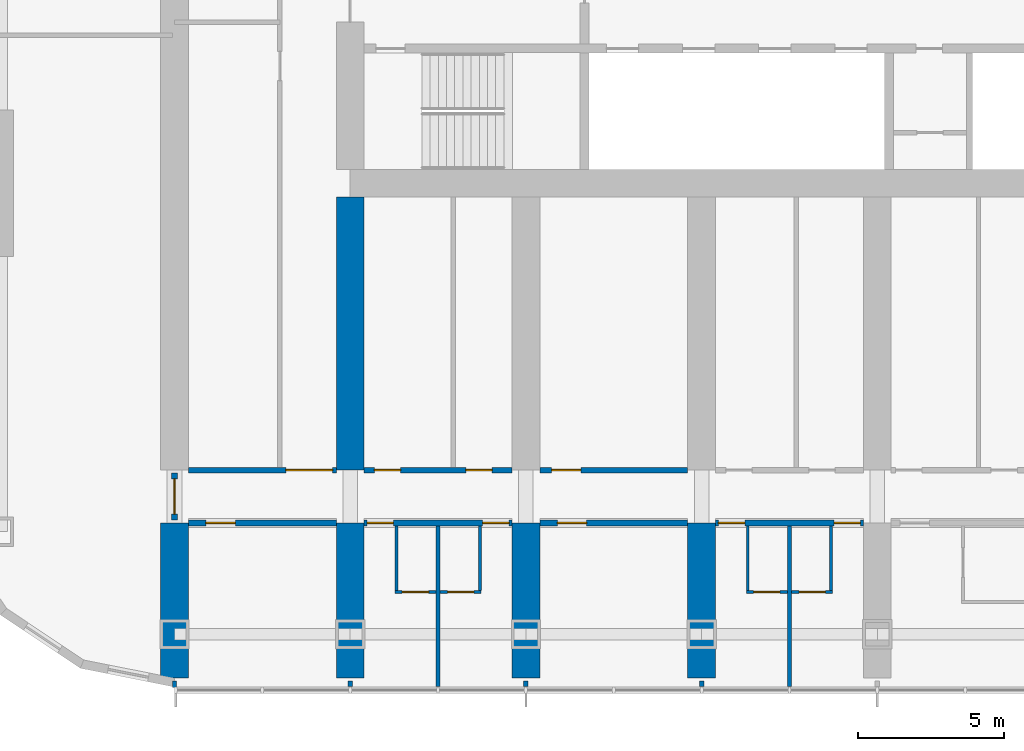
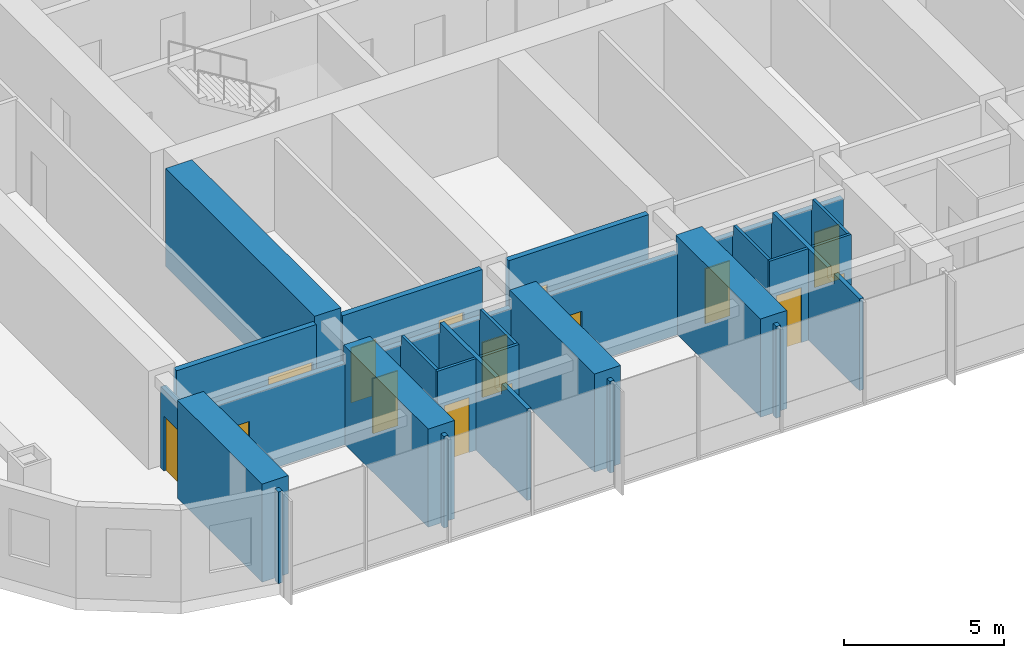
# One storey, part 10 of 25: 27 walls, 15 doors, 15 openings.
"""IFC4 building model written with IfcOpenShell, lengths in metres."""

from ifc_helpers import new_model, si_unit, direction, frame, frame_2d, origin, place, context, subcontext, project, spatial, polyline, rectangle, outline, extrude, material, layer, layer_set, type_object, element, fill, save


model = new_model("IFC4")

# Units and contexts
model_context = context("Model", 3, precision=1e-05, world=origin(), true_north=direction((0.0, 1.0)))
body_context = subcontext(model_context, "Body", "Model", "MODEL_VIEW")
ifc_project = project(units=[si_unit("LENGTHUNIT", "METRE"), si_unit("AREAUNIT", "SQUARE_METRE"), si_unit("VOLUMEUNIT", "CUBIC_METRE"), si_unit("PLANEANGLEUNIT", "RADIAN"), si_unit("MASSUNIT", "GRAM", prefix="KILO")], contexts=[model_context])

# Site, building, storey
site_placement = place(None, origin())
site = spatial("IfcSite", under=ifc_project, at=site_placement, CompositionType="ELEMENT")
building_placement = place(site_placement, origin())
building = spatial("IfcBuilding", under=site, at=building_placement, Name="Orbita Commons", CompositionType="ELEMENT")
storey_placement = place(building_placement, frame((0.0, 0.0, 99.39990234375)))
storey = spatial("IfcBuildingStorey", under=building, at=storey_placement, Name="L24", CompositionType="ELEMENT", Elevation=99.39990234375)

# Wall, opening, door
ifc_material_1 = material(Name="Concrete blockwork", Category="masonry")
ifc_layer_1 = layer(ifc_material_1, 0.199951171875)
ifc_layer_set_1 = layer_set([ifc_layer_1], Name="Concrete blockwork")
wall_type_1 = type_object("IfcWallType", Name="Corridor wall 200 blockwork", PredefinedType="SOLIDWALL", material=ifc_layer_set_1)
wall_1_placement = place(storey_placement, frame((12.47509765625, 14.199951171875, 0.0), z_axis=(0.0, 0.0, 1.0), x_axis=(1.0, 0.0, 0.0)))
wall_1 = element("IfcWall", 1, at=wall_1_placement, inside=storey, type_object=wall_type_1, Name="Corridor wall 200 blockwork L24", PredefinedType="SOLIDWALL", context=body_context, shape_type="SweptSolid", body=[
    extrude(outline(polyline([(0.0, 0.0), (5.0498046875, 0.0), (5.050048828125, 3.10009765625), (0.0, 3.10009765625), (0.0, 0.0)])), frame((0.0, 0.10009765625, 0.0), z_axis=(0.0, -1.0, 0.0), x_axis=(1.0, 0.0, 0.0)), (0.0, 0.0, 1.0), 0.199951171875),
])
opening_1_placement = place(wall_1_placement, frame((0.60009765625, 0.0, 0.0)))
opening_1 = element("IfcOpeningElement", 2, at=opening_1_placement, cuts=wall_1, Name="Opening D06", PredefinedType="OPENING", context=body_context, shape_type="SweptSolid", body=[
    extrude(rectangle(XDim=1.0, YDim=2.10009765625, at=frame_2d((0.5, 1.050048828125))), frame((0.0, 0.10986328125, 0.0), z_axis=(0.0, -1.0, 0.0), x_axis=(1.0, 0.0, 0.0)), (0.0, 0.0, 1.0), 0.219970703125),
])
ifc_material_2 = material(Name="Steel-faced fire door leaf", Category="steel")
door_type_1 = type_object("IfcDoorType", Name="Corridor door 20 min 1000x2100", OperationType="SINGLE_SWING_LEFT", PredefinedType="DOOR", material=ifc_material_2)
door_1_placement = place(opening_1_placement, origin())
door_1 = element("IfcDoor", 3, at=door_1_placement, inside=storey, type_object=door_type_1, Name="Mountain-view lounge L24-S00 door", OperationType="SINGLE_SWING_LEFT", OverallHeight=2.10009765625, OverallWidth=1.0, PredefinedType="DOOR", context=body_context, shape_type="SweptSolid", body=[
    extrude(rectangle(XDim=1.0, YDim=2.10009765625, at=frame_2d((0.5, 1.050048828125))), frame((0.0, 0.02490234375, 0.0), z_axis=(0.0, -1.0, 0.0), x_axis=(1.0, 0.0, 0.0)), (0.0, 0.0, 1.0), 0.050048828125),
])
fill(opening_1, door_1)

# Wall, openings, doors
wall_2_placement = place(storey_placement, frame((18.47509765625, 14.199951171875, 0.0), z_axis=(0.0, 0.0, 1.0), x_axis=(1.0, 0.0, 0.0)))
wall_2 = element("IfcWall", 4, at=wall_2_placement, inside=storey, type_object=wall_type_1, Name="Corridor wall 200 blockwork L24", PredefinedType="SOLIDWALL", context=body_context, shape_type="SweptSolid", body=[
    extrude(outline(polyline([(0.0, 0.0), (5.0498046875, 0.0), (5.050048828125, 3.10009765625), (0.0, 3.10009765625), (0.0, 0.0)])), frame((0.0, 0.10009765625, 0.0), z_axis=(0.0, -1.0, 0.0), x_axis=(1.0, 0.0, 0.0)), (0.0, 0.0, 1.0), 0.199951171875),
])
opening_2_placement = place(wall_2_placement, frame((0.10009765625, 0.0, 0.0)))
opening_2 = element("IfcOpeningElement", 5, at=opening_2_placement, cuts=wall_2, Name="Opening D11", PredefinedType="OPENING", context=body_context, shape_type="SweptSolid", body=[
    extrude(rectangle(XDim=0.89990234375, YDim=2.10009765625, at=frame_2d((0.449951171875, 1.050048828125))), frame((0.0, 0.10986328125, 0.0), z_axis=(0.0, -1.0, 0.0), x_axis=(1.0, 0.0, 0.0)), (0.0, 0.0, 1.0), 0.219970703125),
])
opening_3_placement = place(wall_2_placement, frame((4.050048828125, 0.0, 0.0)))
opening_3 = element("IfcOpeningElement", 6, at=opening_3_placement, cuts=wall_2, Name="Opening D11", PredefinedType="OPENING", context=body_context, shape_type="SweptSolid", body=[
    extrude(rectangle(XDim=0.89990234375, YDim=2.10009765625, at=frame_2d((0.449951171875, 1.050048828125))), frame((0.0, 0.10986328125, 0.0), z_axis=(0.0, -1.0, 0.0), x_axis=(1.0, 0.0, 0.0)), (0.0, 0.0, 1.0), 0.219970703125),
])
ifc_material_3 = material(Name="Steel-faced fire door leaf", Category="steel")
door_type_2 = type_object("IfcDoorType", Name="Corridor door 20 min 900x2100", OperationType="SINGLE_SWING_LEFT", PredefinedType="DOOR", material=ifc_material_3)
door_2_placement = place(opening_2_placement, origin())
door_2 = element("IfcDoor", 7, at=door_2_placement, inside=storey, type_object=door_type_2, Name="Cluster bedroom L24-S02 door", OperationType="SINGLE_SWING_LEFT", OverallHeight=2.10009765625, OverallWidth=0.89990234375, PredefinedType="DOOR", context=body_context, shape_type="SweptSolid", body=[
    extrude(rectangle(XDim=0.89990234375, YDim=2.10009765625, at=frame_2d((0.449951171875, 1.050048828125))), frame((0.0, 0.02490234375, 0.0), z_axis=(0.0, -1.0, 0.0), x_axis=(1.0, 0.0, 0.0)), (0.0, 0.0, 1.0), 0.050048828125),
])
fill(opening_2, door_2)
door_3_placement = place(opening_3_placement, origin())
door_3 = element("IfcDoor", 8, at=door_3_placement, inside=storey, type_object=door_type_2, Name="Cluster bedroom L24-S03 door", OperationType="SINGLE_SWING_LEFT", OverallHeight=2.10009765625, OverallWidth=0.89990234375, PredefinedType="DOOR", context=body_context, shape_type="SweptSolid", body=[
    extrude(rectangle(XDim=0.89990234375, YDim=2.10009765625, at=frame_2d((0.449951171875, 1.050048828125))), frame((0.0, 0.02490234375, 0.0), z_axis=(0.0, -1.0, 0.0), x_axis=(1.0, 0.0, 0.0)), (0.0, 0.0, 1.0), 0.050048828125),
])
fill(opening_3, door_3)

# Wall, opening, door
wall_3_placement = place(storey_placement, frame((24.47509765625, 14.199951171875, 0.0), z_axis=(0.0, 0.0, 1.0), x_axis=(1.0, 0.0, 0.0)))
wall_3 = element("IfcWall", 9, at=wall_3_placement, inside=storey, type_object=wall_type_1, Name="Corridor wall 200 blockwork L24", PredefinedType="SOLIDWALL", context=body_context, shape_type="SweptSolid", body=[
    extrude(outline(polyline([(0.0, 0.0), (5.0498046875, 0.0), (5.050048828125, 3.10009765625), (0.0, 3.10009765625), (0.0, 0.0)])), frame((0.0, 0.10009765625, 0.0), z_axis=(0.0, -1.0, 0.0), x_axis=(1.0, 0.0, 0.0)), (0.0, 0.0, 1.0), 0.199951171875),
])
opening_4_placement = place(wall_3_placement, frame((0.60009765625, 0.0, 0.0)))
opening_4 = element("IfcOpeningElement", 10, at=opening_4_placement, cuts=wall_3, Name="Opening D06", PredefinedType="OPENING", context=body_context, shape_type="SweptSolid", body=[
    extrude(rectangle(XDim=1.0, YDim=2.10009765625, at=frame_2d((0.5, 1.050048828125))), frame((0.0, 0.10986328125, 0.0), z_axis=(0.0, -1.0, 0.0), x_axis=(1.0, 0.0, 0.0)), (0.0, 0.0, 1.0), 0.219970703125),
])
door_4_placement = place(opening_4_placement, origin())
door_4 = element("IfcDoor", 11, at=door_4_placement, inside=storey, type_object=door_type_1, Name="Mountain-view lounge L24-S04 door", OperationType="SINGLE_SWING_LEFT", OverallHeight=2.10009765625, OverallWidth=1.0, PredefinedType="DOOR", context=body_context, shape_type="SweptSolid", body=[
    extrude(rectangle(XDim=1.0, YDim=2.10009765625, at=frame_2d((0.5, 1.050048828125))), frame((0.0, 0.02490234375, 0.0), z_axis=(0.0, -1.0, 0.0), x_axis=(1.0, 0.0, 0.0)), (0.0, 0.0, 1.0), 0.050048828125),
])
fill(opening_4, door_4)

# Wall, openings, doors
wall_4_placement = place(storey_placement, frame((30.47509765625, 14.199951171875, 0.0), z_axis=(0.0, 0.0, 1.0), x_axis=(1.0, 0.0, 0.0)))
wall_4 = element("IfcWall", 12, at=wall_4_placement, inside=storey, type_object=wall_type_1, Name="Corridor wall 200 blockwork L24", PredefinedType="SOLIDWALL", context=body_context, shape_type="SweptSolid", body=[
    extrude(outline(polyline([(0.0, 0.0), (5.0498046875, 0.0), (5.050048828125, 3.10009765625), (0.0, 3.10009765625), (0.0, 0.0)])), frame((0.0, 0.10009765625, 0.0), z_axis=(0.0, -1.0, 0.0), x_axis=(1.0, 0.0, 0.0)), (0.0, 0.0, 1.0), 0.199951171875),
])
opening_5_placement = place(wall_4_placement, frame((0.10009765625, 0.0, 0.0)))
opening_5 = element("IfcOpeningElement", 13, at=opening_5_placement, cuts=wall_4, Name="Opening D11", PredefinedType="OPENING", context=body_context, shape_type="SweptSolid", body=[
    extrude(rectangle(XDim=0.89990234375, YDim=2.10009765625, at=frame_2d((0.449951171875, 1.050048828125))), frame((0.0, 0.10986328125, 0.0), z_axis=(0.0, -1.0, 0.0), x_axis=(1.0, 0.0, 0.0)), (0.0, 0.0, 1.0), 0.219970703125),
])
opening_6_placement = place(wall_4_placement, frame((4.050048828125, 0.0, 0.0)))
opening_6 = element("IfcOpeningElement", 14, at=opening_6_placement, cuts=wall_4, Name="Opening D11", PredefinedType="OPENING", context=body_context, shape_type="SweptSolid", body=[
    extrude(rectangle(XDim=0.89990234375, YDim=2.10009765625, at=frame_2d((0.449951171875, 1.050048828125))), frame((0.0, 0.10986328125, 0.0), z_axis=(0.0, -1.0, 0.0), x_axis=(1.0, 0.0, 0.0)), (0.0, 0.0, 1.0), 0.219970703125),
])
door_5_placement = place(opening_5_placement, origin())
door_5 = element("IfcDoor", 15, at=door_5_placement, inside=storey, type_object=door_type_2, Name="Cluster bedroom L24-S06 door", OperationType="SINGLE_SWING_LEFT", OverallHeight=2.10009765625, OverallWidth=0.89990234375, PredefinedType="DOOR", context=body_context, shape_type="SweptSolid", body=[
    extrude(rectangle(XDim=0.89990234375, YDim=2.10009765625, at=frame_2d((0.449951171875, 1.050048828125))), frame((0.0, 0.02490234375, 0.0), z_axis=(0.0, -1.0, 0.0), x_axis=(1.0, 0.0, 0.0)), (0.0, 0.0, 1.0), 0.050048828125),
])
fill(opening_5, door_5)
door_6_placement = place(opening_6_placement, origin())
door_6 = element("IfcDoor", 16, at=door_6_placement, inside=storey, type_object=door_type_2, Name="Cluster bedroom L24-S07 door", OperationType="SINGLE_SWING_LEFT", OverallHeight=2.10009765625, OverallWidth=0.89990234375, PredefinedType="DOOR", context=body_context, shape_type="SweptSolid", body=[
    extrude(rectangle(XDim=0.89990234375, YDim=2.10009765625, at=frame_2d((0.449951171875, 1.050048828125))), frame((0.0, 0.02490234375, 0.0), z_axis=(0.0, -1.0, 0.0), x_axis=(1.0, 0.0, 0.0)), (0.0, 0.0, 1.0), 0.050048828125),
])
fill(opening_6, door_6)

# Wall, opening, door
wall_5_placement = place(storey_placement, frame((12.0, 14.300048828125, 0.0), z_axis=(0.0, 0.0, 1.0), x_axis=(0.0, 1.0, 0.0)))
wall_5 = element("IfcWall", 17, at=wall_5_placement, inside=storey, type_object=wall_type_1, Name="Corridor wall 200 blockwork L24", PredefinedType="SOLIDWALL", context=body_context, shape_type="SweptSolid", body=[
    extrude(outline(polyline([(0.0, 0.0), (1.599853515625, 0.0), (1.60009765625, 3.10009765625), (0.0, 3.10009765625), (0.0, 0.0)])), frame((0.0, 0.10009765625, 0.0), z_axis=(0.0, -1.0, 0.0), x_axis=(1.0, 0.0, 0.0)), (0.0, 0.0, 1.0), 0.199951171875),
])
opening_7_placement = place(wall_5_placement, frame((0.199951171875, 0.0, 0.0)))
opening_7 = element("IfcOpeningElement", 18, at=opening_7_placement, cuts=wall_5, Name="Opening D12", PredefinedType="OPENING", context=body_context, shape_type="SweptSolid", body=[
    extrude(rectangle(XDim=1.199951171875, YDim=2.10009765625, at=frame_2d((0.60009765625, 1.050048828125))), frame((0.0, 0.10986328125, 0.0), z_axis=(0.0, -1.0, 0.0), x_axis=(1.0, 0.0, 0.0)), (0.0, 0.0, 1.0), 0.219970703125),
])
ifc_material_4 = material(Name="Steel-faced fire door leaf", Category="steel")
door_type_3 = type_object("IfcDoorType", Name="Double corridor door 20 min 1200x2100", OperationType="DOUBLE_DOOR_SINGLE_SWING", PredefinedType="DOOR", material=ifc_material_4)
door_7_placement = place(opening_7_placement, origin())
door_7 = element("IfcDoor", 19, at=door_7_placement, inside=storey, type_object=door_type_3, Name="Lounge doors", OperationType="DOUBLE_DOOR_SINGLE_SWING", OverallHeight=2.10009765625, OverallWidth=1.199951171875, PredefinedType="DOOR", context=body_context, shape_type="SweptSolid", body=[
    extrude(rectangle(XDim=1.199951171875, YDim=2.10009765625, at=frame_2d((0.60009765625, 1.050048828125))), frame((0.0, 0.02490234375, 0.0), z_axis=(0.0, -1.0, 0.0), x_axis=(1.0, 0.0, 0.0)), (0.0, 0.0, 1.0), 0.050048828125),
])
fill(opening_7, door_7)

ifc_material_5 = material(Name="Hollow concrete block 200", Category="concrete")
ifc_layer_2 = layer(ifc_material_5, 0.199951171875)
ifc_layer_set_2 = layer_set([ifc_layer_2], Name="Hollow concrete block 200")
wall_type_2 = type_object("IfcWallType", Name="Corridor wall 200 hollow concrete block", PredefinedType="SOLIDWALL", material=ifc_layer_set_2)
wall_6_placement = place(storey_placement, frame((12.47509765625, 16.0, 0.0), z_axis=(0.0, 0.0, 1.0), x_axis=(1.0, 0.0, 0.0)))
wall_6 = element("IfcWall", 20, at=wall_6_placement, inside=storey, type_object=wall_type_2, Name="Corridor wall 200 hollow concrete block L24", PredefinedType="SOLIDWALL", context=body_context, shape_type="SweptSolid", body=[
    extrude(rectangle(XDim=5.0498046875, YDim=0.199951171875, at=frame_2d((2.52490234375, 0.0))), origin(), (0.0, 0.0, 1.0), 3.5),
])
opening_8_placement = place(wall_6_placement, frame((3.324951171875, 0.0, 0.0)))
opening_8 = element("IfcOpeningElement", 21, at=opening_8_placement, cuts=wall_6, Name="Opening D10", PredefinedType="OPENING", context=body_context, shape_type="SweptSolid", body=[
    extrude(rectangle(XDim=1.60009765625, YDim=2.10009765625, at=frame_2d((0.800048828125, 1.050048828125))), frame((0.0, 0.10986328125, 0.0), z_axis=(0.0, -1.0, 0.0), x_axis=(1.0, 0.0, 0.0)), (0.0, 0.0, 1.0), 0.219970703125),
])
ifc_material_6 = material(Name="Steel-faced fire door leaf", Category="steel")
door_type_4 = type_object("IfcDoorType", Name="Double corridor door 20 min 1600x2100", OperationType="DOUBLE_DOOR_SINGLE_SWING", PredefinedType="DOOR", material=ifc_material_6)
door_8_placement = place(opening_8_placement, origin())
door_8 = element("IfcDoor", 22, at=door_8_placement, inside=storey, type_object=door_type_4, Name="Cross corridor doors", OperationType="DOUBLE_DOOR_SINGLE_SWING", OverallHeight=2.10009765625, OverallWidth=1.60009765625, PredefinedType="DOOR", context=body_context, shape_type="SweptSolid", body=[
    extrude(rectangle(XDim=1.60009765625, YDim=2.10009765625, at=frame_2d((0.800048828125, 1.050048828125))), frame((0.0, 0.02490234375, 0.0), z_axis=(0.0, -1.0, 0.0), x_axis=(1.0, 0.0, 0.0)), (0.0, 0.0, 1.0), 0.050048828125),
])
fill(opening_8, door_8)

# Wall, openings, doors
wall_7_placement = place(storey_placement, frame((18.47509765625, 16.0, 0.0), z_axis=(0.0, 0.0, 1.0), x_axis=(1.0, 0.0, 0.0)))
wall_7 = element("IfcWall", 23, at=wall_7_placement, inside=storey, type_object=wall_type_2, Name="Corridor wall 200 hollow concrete block L24", PredefinedType="SOLIDWALL", context=body_context, shape_type="SweptSolid", body=[
    extrude(rectangle(XDim=5.0498046875, YDim=0.199951171875, at=frame_2d((2.52490234375, 0.0))), origin(), (0.0, 0.0, 1.0), 3.5),
])
opening_9_placement = place(wall_7_placement, frame((0.35009765625, 0.0, 0.0)))
opening_9 = element("IfcOpeningElement", 24, at=opening_9_placement, cuts=wall_7, Name="Opening D11", PredefinedType="OPENING", context=body_context, shape_type="SweptSolid", body=[
    extrude(rectangle(XDim=0.89990234375, YDim=2.10009765625, at=frame_2d((0.449951171875, 1.050048828125))), frame((0.0, 0.10986328125, 0.0), z_axis=(0.0, -1.0, 0.0), x_axis=(1.0, 0.0, 0.0)), (0.0, 0.0, 1.0), 0.219970703125),
])
opening_10_placement = place(wall_7_placement, frame((3.47509765625, 0.0, 0.0)))
opening_10 = element("IfcOpeningElement", 25, at=opening_10_placement, cuts=wall_7, Name="Opening D11", PredefinedType="OPENING", context=body_context, shape_type="SweptSolid", body=[
    extrude(rectangle(XDim=0.89990234375, YDim=2.10009765625, at=frame_2d((0.449951171875, 1.050048828125))), frame((0.0, 0.10986328125, 0.0), z_axis=(0.0, -1.0, 0.0), x_axis=(1.0, 0.0, 0.0)), (0.0, 0.0, 1.0), 0.219970703125),
])
door_9_placement = place(opening_9_placement, origin())
door_9 = element("IfcDoor", 26, at=door_9_placement, inside=storey, type_object=door_type_2, Name="Music practice room L24-BDS18 door", OperationType="SINGLE_SWING_LEFT", OverallHeight=2.10009765625, OverallWidth=0.89990234375, PredefinedType="DOOR", context=body_context, shape_type="SweptSolid", body=[
    extrude(rectangle(XDim=0.89990234375, YDim=2.10009765625, at=frame_2d((0.449951171875, 1.050048828125))), frame((0.0, 0.02490234375, 0.0), z_axis=(0.0, -1.0, 0.0), x_axis=(1.0, 0.0, 0.0)), (0.0, 0.0, 1.0), 0.050048828125),
])
fill(opening_9, door_9)
door_10_placement = place(opening_10_placement, origin())
door_10 = element("IfcDoor", 27, at=door_10_placement, inside=storey, type_object=door_type_2, Name="Accessible WC and shower room L24-BDS18n door", OperationType="SINGLE_SWING_LEFT", OverallHeight=2.10009765625, OverallWidth=0.89990234375, PredefinedType="DOOR", context=body_context, shape_type="SweptSolid", body=[
    extrude(rectangle(XDim=0.89990234375, YDim=2.10009765625, at=frame_2d((0.449951171875, 1.050048828125))), frame((0.0, 0.02490234375, 0.0), z_axis=(0.0, -1.0, 0.0), x_axis=(1.0, 0.0, 0.0)), (0.0, 0.0, 1.0), 0.050048828125),
])
fill(opening_10, door_10)

# Wall, opening, door
wall_8_placement = place(storey_placement, frame((24.47509765625, 16.0, 0.0), z_axis=(0.0, 0.0, 1.0), x_axis=(1.0, 0.0, 0.0)))
wall_8 = element("IfcWall", 28, at=wall_8_placement, inside=storey, type_object=wall_type_2, Name="Corridor wall 200 hollow concrete block L24", PredefinedType="SOLIDWALL", context=body_context, shape_type="SweptSolid", body=[
    extrude(rectangle(XDim=5.0498046875, YDim=0.199951171875, at=frame_2d((2.52490234375, 0.0))), origin(), (0.0, 0.0, 1.0), 3.5),
])
opening_11_placement = place(wall_8_placement, frame((0.39990234375, 0.0, 0.0)))
opening_11 = element("IfcOpeningElement", 29, at=opening_11_placement, cuts=wall_8, Name="Opening D06", PredefinedType="OPENING", context=body_context, shape_type="SweptSolid", body=[
    extrude(rectangle(XDim=1.0, YDim=2.10009765625, at=frame_2d((0.5, 1.050048828125))), frame((0.0, 0.10986328125, 0.0), z_axis=(0.0, -1.0, 0.0), x_axis=(1.0, 0.0, 0.0)), (0.0, 0.0, 1.0), 0.219970703125),
])
door_11_placement = place(opening_11_placement, origin())
door_11 = element("IfcDoor", 30, at=door_11_placement, inside=storey, type_object=door_type_1, Name="IT and print room L24-BDS24 door", OperationType="SINGLE_SWING_LEFT", OverallHeight=2.10009765625, OverallWidth=1.0, PredefinedType="DOOR", context=body_context, shape_type="SweptSolid", body=[
    extrude(rectangle(XDim=1.0, YDim=2.10009765625, at=frame_2d((0.5, 1.050048828125))), frame((0.0, 0.02490234375, 0.0), z_axis=(0.0, -1.0, 0.0), x_axis=(1.0, 0.0, 0.0)), (0.0, 0.0, 1.0), 0.050048828125),
])
fill(opening_11, door_11)

# Walls
ifc_material_7 = material(Name="Concrete C50/60", Category="concrete")
ifc_layer_3 = layer(ifc_material_7, 0.949951171875)
ifc_layer_set_3 = layer_set([ifc_layer_3], Name="Concrete C50/60")
wall_type_3 = type_object("IfcWallType", Name="Cross wall 950 C50/60", PredefinedType="SHEAR", material=ifc_layer_set_3)
for number, where, z_axis, x_axis, name in (
    (31, (12.0, 8.89990234375, 0.0), (0.0, 0.0, 1.0), (0.0, 1.0, 0.0), "Cross wall 3 south outer L24"),
    (32, (18.0, 8.89990234375, 0.0), (0.0, 0.0, 1.0), (0.0, 1.0, 0.0), "Cross wall 4 south outer L24"),
):
    element("IfcWall", number, at=place(storey_placement, frame(where, z_axis=z_axis, x_axis=x_axis)), inside=storey, type_object=wall_type_3, Name=name, PredefinedType="SHEAR", context=body_context, shape_type="SweptSolid", body=[
        extrude(rectangle(XDim=5.300048828125, YDim=0.949951171875, at=frame_2d((2.64990234375, 0.0))), origin(), (0.0, 0.0, 1.0), 3.75),
    ])
wall_9_placement = place(storey_placement, frame((18.0, 16.0, 0.0), z_axis=(0.0, 0.0, 1.0), x_axis=(0.0, 1.0, 0.0)))
element("IfcWall", 33, at=wall_9_placement, inside=storey, type_object=wall_type_3, Name="Cross wall 4 south inner L24", PredefinedType="SHEAR", context=body_context, shape_type="SweptSolid", body=[
    extrude(rectangle(XDim=9.324951171875, YDim=0.949951171875, at=frame_2d((4.66259765625, 0.0))), origin(), (0.0, 0.0, 1.0), 3.75),
])
for number, where, z_axis, x_axis, name in (
    (34, (24.0, 8.89990234375, 0.0), (0.0, 0.0, 1.0), (0.0, 1.0, 0.0), "Cross wall 5 south outer L24"),
    (35, (30.0, 8.89990234375, 0.0), (0.0, 0.0, 1.0), (0.0, 1.0, 0.0), "Cross wall 6 south outer L24"),
):
    element("IfcWall", number, at=place(storey_placement, frame(where, z_axis=z_axis, x_axis=x_axis)), inside=storey, type_object=wall_type_3, Name=name, PredefinedType="SHEAR", context=body_context, shape_type="SweptSolid", body=[
        extrude(rectangle(XDim=5.300048828125, YDim=0.949951171875, at=frame_2d((2.64990234375, 0.0))), origin(), (0.0, 0.0, 1.0), 3.75),
    ])

# Wall, opening, door
ifc_material_8 = material(Name="Moisture-resistant plasterboard on steel studs", Category="steel")
ifc_layer_4 = layer(ifc_material_8, 0.10009765625)
ifc_layer_set_4 = layer_set([ifc_layer_4], Name="Moisture-resistant plasterboard on steel studs")
wall_type_4 = type_object("IfcWallType", Name="En-suite partition 100", PredefinedType="PARTITIONING", material=ifc_layer_set_4)
wall_10_placement = place(storey_placement, frame((20.925048828125, 11.8408203125, 0.0), z_axis=(0.0, 0.0, 1.0), x_axis=(-1.0, 0.0, 0.0)))
wall_10 = element("IfcWall", 36, at=wall_10_placement, inside=storey, type_object=wall_type_4, Name="En-suite partition 100 L24", PredefinedType="PARTITIONING", context=body_context, shape_type="SweptSolid", body=[
    extrude(rectangle(XDim=1.400146484375, YDim=0.10009765625, at=frame_2d((0.7001953125, 0.0))), origin(), (0.0, 0.0, 1.0), 3.5),
])
opening_12_placement = place(wall_10_placement, frame((0.25, 0.0, 0.0)))
opening_12 = element("IfcOpeningElement", 37, at=opening_12_placement, cuts=wall_10, Name="Opening D09", PredefinedType="OPENING", context=body_context, shape_type="SweptSolid", body=[
    extrude(rectangle(XDim=0.89990234375, YDim=2.10009765625, at=frame_2d((0.449951171875, 1.050048828125))), frame((0.0, 0.06005859375, 0.0), z_axis=(0.0, -1.0, 0.0), x_axis=(1.0, 0.0, 0.0)), (0.0, 0.0, 1.0), 0.1201171875),
])
ifc_material_9 = material(Name="Laminated timber door leaf", Category="wood")
door_type_5 = type_object("IfcDoorType", Name="En-suite door 900x2100", OperationType="SINGLE_SWING_RIGHT", PredefinedType="DOOR", material=ifc_material_9)
door_12_placement = place(opening_12_placement, origin())
door_12 = element("IfcDoor", 38, at=door_12_placement, inside=storey, type_object=door_type_5, Name="En-suite L24-S02 door", OperationType="SINGLE_SWING_RIGHT", OverallHeight=2.10009765625, OverallWidth=0.89990234375, PredefinedType="DOOR", context=body_context, shape_type="SweptSolid", body=[
    extrude(rectangle(XDim=0.89990234375, YDim=2.10009765625, at=frame_2d((0.449951171875, 1.050048828125))), frame((0.0, 0.02490234375, 0.0), z_axis=(0.0, -1.0, 0.0), x_axis=(1.0, 0.0, 0.0)), (0.0, 0.0, 1.0), 0.050048828125),
])
fill(opening_12, door_12)

# Wall
wall_11_placement = place(storey_placement, frame((19.574951171875, 11.890625, 0.0), z_axis=(0.0, 0.0, 1.0), x_axis=(0.0, 1.0, 0.0)))
element("IfcWall", 39, at=wall_11_placement, inside=storey, type_object=wall_type_4, Name="En-suite partition 100 L24", PredefinedType="PARTITIONING", context=body_context, shape_type="SweptSolid", body=[
    extrude(outline(polyline([(0.0, 0.0), (2.20947265625, 0.0), (2.209228515625, 3.10009765625), (2.161376953125, 3.10009765625), (2.1591796875, 3.5), (0.0, 3.5), (0.0, 0.0)])), frame((0.0, 0.050048828125, 0.0), z_axis=(0.0, -1.0, 0.0), x_axis=(1.0, 0.0, 0.0)), (0.0, 0.0, 1.0), 0.10009765625),
])

# Wall, opening, door
wall_12_placement = place(storey_placement, frame((22.47509765625, 11.8408203125, 0.0), z_axis=(0.0, 0.0, 1.0), x_axis=(-1.0, 0.0, 0.0)))
wall_12 = element("IfcWall", 40, at=wall_12_placement, inside=storey, type_object=wall_type_4, Name="En-suite partition 100 L24", PredefinedType="PARTITIONING", context=body_context, shape_type="SweptSolid", body=[
    extrude(rectangle(XDim=1.400146484375, YDim=0.10009765625, at=frame_2d((0.7001953125, 0.0))), origin(), (0.0, 0.0, 1.0), 3.5),
])
opening_13_placement = place(wall_12_placement, frame((0.25, 0.0, 0.0)))
opening_13 = element("IfcOpeningElement", 41, at=opening_13_placement, cuts=wall_12, Name="Opening D09", PredefinedType="OPENING", context=body_context, shape_type="SweptSolid", body=[
    extrude(rectangle(XDim=0.89990234375, YDim=2.10009765625, at=frame_2d((0.449951171875, 1.050048828125))), frame((0.0, 0.06005859375, 0.0), z_axis=(0.0, -1.0, 0.0), x_axis=(1.0, 0.0, 0.0)), (0.0, 0.0, 1.0), 0.1201171875),
])
door_13_placement = place(opening_13_placement, origin())
door_13 = element("IfcDoor", 42, at=door_13_placement, inside=storey, type_object=door_type_5, Name="En-suite L24-S03 door", OperationType="SINGLE_SWING_RIGHT", OverallHeight=2.10009765625, OverallWidth=0.89990234375, PredefinedType="DOOR", context=body_context, shape_type="SweptSolid", body=[
    extrude(rectangle(XDim=0.89990234375, YDim=2.10009765625, at=frame_2d((0.449951171875, 1.050048828125))), frame((0.0, 0.02490234375, 0.0), z_axis=(0.0, -1.0, 0.0), x_axis=(1.0, 0.0, 0.0)), (0.0, 0.0, 1.0), 0.050048828125),
])
fill(opening_13, door_13)

# Wall
wall_13_placement = place(storey_placement, frame((22.425048828125, 11.890625, 0.0), z_axis=(0.0, 0.0, 1.0), x_axis=(0.0, 1.0, 0.0)))
element("IfcWall", 43, at=wall_13_placement, inside=storey, type_object=wall_type_4, Name="En-suite partition 100 L24", PredefinedType="PARTITIONING", context=body_context, shape_type="SweptSolid", body=[
    extrude(outline(polyline([(0.0, 0.0), (2.20947265625, 0.0), (2.209228515625, 3.10009765625), (2.161376953125, 3.10009765625), (2.1591796875, 3.5), (0.0, 3.5), (0.0, 0.0)])), frame((0.0, 0.050048828125, 0.0), z_axis=(0.0, -1.0, 0.0), x_axis=(1.0, 0.0, 0.0)), (0.0, 0.0, 1.0), 0.10009765625),
])

# Wall, opening, door
wall_14_placement = place(storey_placement, frame((32.925048828125, 11.8408203125, 0.0), z_axis=(0.0, 0.0, 1.0), x_axis=(-1.0, 0.0, 0.0)))
wall_14 = element("IfcWall", 44, at=wall_14_placement, inside=storey, type_object=wall_type_4, Name="En-suite partition 100 L24", PredefinedType="PARTITIONING", context=body_context, shape_type="SweptSolid", body=[
    extrude(rectangle(XDim=1.400146484375, YDim=0.10009765625, at=frame_2d((0.7001953125, 0.0))), origin(), (0.0, 0.0, 1.0), 3.5),
])
opening_14_placement = place(wall_14_placement, frame((0.25, 0.0, 0.0)))
opening_14 = element("IfcOpeningElement", 45, at=opening_14_placement, cuts=wall_14, Name="Opening D09", PredefinedType="OPENING", context=body_context, shape_type="SweptSolid", body=[
    extrude(rectangle(XDim=0.89990234375, YDim=2.10009765625, at=frame_2d((0.449951171875, 1.050048828125))), frame((0.0, 0.06005859375, 0.0), z_axis=(0.0, -1.0, 0.0), x_axis=(1.0, 0.0, 0.0)), (0.0, 0.0, 1.0), 0.1201171875),
])
door_14_placement = place(opening_14_placement, origin())
door_14 = element("IfcDoor", 46, at=door_14_placement, inside=storey, type_object=door_type_5, Name="En-suite L24-S06 door", OperationType="SINGLE_SWING_RIGHT", OverallHeight=2.10009765625, OverallWidth=0.89990234375, PredefinedType="DOOR", context=body_context, shape_type="SweptSolid", body=[
    extrude(rectangle(XDim=0.89990234375, YDim=2.10009765625, at=frame_2d((0.449951171875, 1.050048828125))), frame((0.0, 0.02490234375, 0.0), z_axis=(0.0, -1.0, 0.0), x_axis=(1.0, 0.0, 0.0)), (0.0, 0.0, 1.0), 0.050048828125),
])
fill(opening_14, door_14)

# Wall
wall_15_placement = place(storey_placement, frame((31.574951171875, 11.890625, 0.0), z_axis=(0.0, 0.0, 1.0), x_axis=(0.0, 1.0, 0.0)))
element("IfcWall", 47, at=wall_15_placement, inside=storey, type_object=wall_type_4, Name="En-suite partition 100 L24", PredefinedType="PARTITIONING", context=body_context, shape_type="SweptSolid", body=[
    extrude(outline(polyline([(0.0, 0.0), (2.20947265625, 0.0), (2.209228515625, 3.10009765625), (2.161376953125, 3.10009765625), (2.1591796875, 3.5), (0.0, 3.5), (0.0, 0.0)])), frame((0.0, 0.050048828125, 0.0), z_axis=(0.0, -1.0, 0.0), x_axis=(1.0, 0.0, 0.0)), (0.0, 0.0, 1.0), 0.10009765625),
])

# Wall, opening, door
wall_16_placement = place(storey_placement, frame((34.47509765625, 11.8408203125, 0.0), z_axis=(0.0, 0.0, 1.0), x_axis=(-1.0, 0.0, 0.0)))
wall_16 = element("IfcWall", 48, at=wall_16_placement, inside=storey, type_object=wall_type_4, Name="En-suite partition 100 L24", PredefinedType="PARTITIONING", context=body_context, shape_type="SweptSolid", body=[
    extrude(rectangle(XDim=1.400146484375, YDim=0.10009765625, at=frame_2d((0.7001953125, 0.0))), origin(), (0.0, 0.0, 1.0), 3.5),
])
opening_15_placement = place(wall_16_placement, frame((0.25, 0.0, 0.0)))
opening_15 = element("IfcOpeningElement", 49, at=opening_15_placement, cuts=wall_16, Name="Opening D09", PredefinedType="OPENING", context=body_context, shape_type="SweptSolid", body=[
    extrude(rectangle(XDim=0.89990234375, YDim=2.10009765625, at=frame_2d((0.449951171875, 1.050048828125))), frame((0.0, 0.06005859375, 0.0), z_axis=(0.0, -1.0, 0.0), x_axis=(1.0, 0.0, 0.0)), (0.0, 0.0, 1.0), 0.1201171875),
])
door_15_placement = place(opening_15_placement, origin())
door_15 = element("IfcDoor", 50, at=door_15_placement, inside=storey, type_object=door_type_5, Name="En-suite L24-S07 door", OperationType="SINGLE_SWING_RIGHT", OverallHeight=2.10009765625, OverallWidth=0.89990234375, PredefinedType="DOOR", context=body_context, shape_type="SweptSolid", body=[
    extrude(rectangle(XDim=0.89990234375, YDim=2.10009765625, at=frame_2d((0.449951171875, 1.050048828125))), frame((0.0, 0.02490234375, 0.0), z_axis=(0.0, -1.0, 0.0), x_axis=(1.0, 0.0, 0.0)), (0.0, 0.0, 1.0), 0.050048828125),
])
fill(opening_15, door_15)

# Walls
wall_17_placement = place(storey_placement, frame((34.425048828125, 11.890625, 0.0), z_axis=(0.0, 0.0, 1.0), x_axis=(0.0, 1.0, 0.0)))
element("IfcWall", 51, at=wall_17_placement, inside=storey, type_object=wall_type_4, Name="En-suite partition 100 L24", PredefinedType="PARTITIONING", context=body_context, shape_type="SweptSolid", body=[
    extrude(outline(polyline([(0.0, 0.0), (2.20947265625, 0.0), (2.209228515625, 3.10009765625), (2.161376953125, 3.10009765625), (2.1591796875, 3.5), (0.0, 3.5), (0.0, 0.0)])), frame((0.0, 0.050048828125, 0.0), z_axis=(0.0, -1.0, 0.0), x_axis=(1.0, 0.0, 0.0)), (0.0, 0.0, 1.0), 0.10009765625),
])
ifc_material_10 = material(Name="Gypsum plasterboard on steel studs", Category="steel")
ifc_layer_5 = layer(ifc_material_10, 0.14990234375)
ifc_layer_set_5 = layer_set([ifc_layer_5], Name="Gypsum plasterboard on steel studs")
wall_type_5 = type_object("IfcWallType", Name="Partition 150 plasterboard", PredefinedType="PARTITIONING", material=ifc_layer_set_5)
wall_18_placement = place(storey_placement, frame((12.0, 8.800048828125, 0.0), z_axis=(0.0, 0.0, 1.0), x_axis=(0.0, -1.0, 0.0)))
element("IfcWall", 52, at=wall_18_placement, inside=storey, type_object=wall_type_5, Name="Partition 150 plasterboard L24", PredefinedType="PARTITIONING", context=body_context, shape_type="SweptSolid", body=[
    extrude(rectangle(XDim=0.219970703125, YDim=0.14990234375, at=frame_2d((0.10986328125, 0.0))), origin(), (0.0, 0.0, 1.0), 3.5),
])
for number, where, z_axis, x_axis, name in (
    (53, (18.0, 8.800048828125, 0.0), (0.0, 0.0, 1.0), (0.0, -1.0, 0.0), "Partition 150 plasterboard L24"),
    (54, (24.0, 8.800048828125, 0.0), (0.0, 0.0, 1.0), (0.0, -1.0, 0.0), "Partition 150 plasterboard L24"),
    (55, (30.0, 8.800048828125, 0.0), (0.0, 0.0, 1.0), (0.0, -1.0, 0.0), "Partition 150 plasterboard L24"),
):
    element("IfcWall", number, at=place(storey_placement, frame(where, z_axis=z_axis, x_axis=x_axis)), inside=storey, type_object=wall_type_5, Name=name, PredefinedType="PARTITIONING", context=body_context, shape_type="SweptSolid", body=[
        extrude(rectangle(XDim=0.18994140625, YDim=0.14990234375, at=frame_2d((0.094970703125, 0.0))), origin(), (0.0, 0.0, 1.0), 3.5),
    ])
ifc_material_11 = material(Name="Gypsum plasterboard on steel studs", Category="steel")
ifc_layer_6 = layer(ifc_material_11, 0.14990234375)
ifc_layer_set_6 = layer_set([ifc_layer_6], Name="Gypsum plasterboard on steel studs")
wall_type_6 = type_object("IfcWallType", Name="Party wall 150 plasterboard", PredefinedType="PARTITIONING", material=ifc_layer_set_6)
for number, where, z_axis, x_axis, name in (
    (56, (21.0, 8.610107421875, 0.0), (0.0, 0.0, 1.0), (0.0, 1.0, 0.0), "Party wall 150 plasterboard L24"),
    (57, (33.0, 8.610107421875, 0.0), (0.0, 0.0, 1.0), (0.0, 1.0, 0.0), "Party wall 150 plasterboard L24"),
):
    element("IfcWall", number, at=place(storey_placement, frame(where, z_axis=z_axis, x_axis=x_axis)), inside=storey, type_object=wall_type_6, Name=name, PredefinedType="PARTITIONING", context=body_context, shape_type="SweptSolid", body=[
        extrude(outline(polyline([(0.0, 0.0), (5.489990234375, 0.0), (5.489990234375, 3.10009765625), (5.44189453125, 3.10009765625), (5.43994140625, 3.5), (1.991943359375, 3.5), (1.989990234375, 3.10009765625), (1.592041015625, 3.10009765625), (1.590087890625, 3.5), (0.0, 3.5), (0.0, 0.0)])), frame((0.0, 0.074951171875, 0.0), z_axis=(0.0, -1.0, 0.0), x_axis=(1.0, 0.0, 0.0)), (0.0, 0.0, 1.0), 0.14990234375),
    ])

save(model, "model.ifc")
